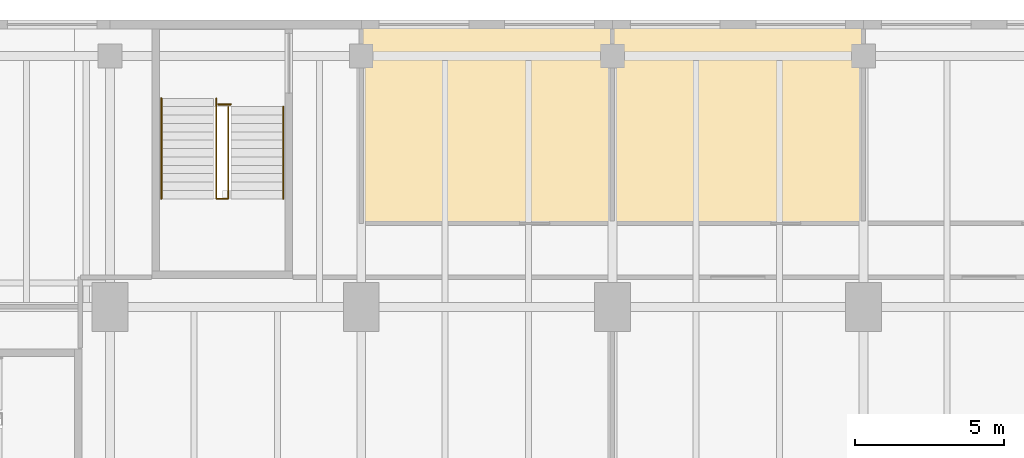
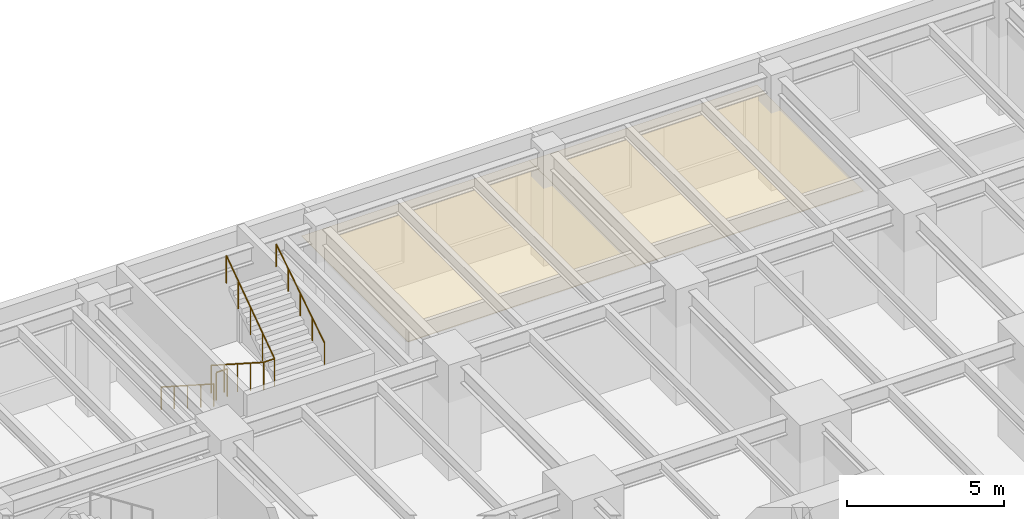
# One storey, part 24 of 26: 4 railings, 2 coverings.
"""IFC4 building model written with IfcOpenShell, lengths in metres."""

from ifc_helpers import new_model, si_unit, direction, frame, origin, origin_2d, place, context, subcontext, project, spatial, polyline, circle, outline, extrude, material, layer, layer_set, type_object, element, save


model = new_model("IFC4")

# Units and contexts
model_context = context("Model", 3, precision=1e-05, world=origin(), true_north=direction((0.0, 1.0)))
body_context = subcontext(model_context, "Body", "Model", "MODEL_VIEW")
ifc_project = project(units=[si_unit("LENGTHUNIT", "METRE"), si_unit("AREAUNIT", "SQUARE_METRE"), si_unit("VOLUMEUNIT", "CUBIC_METRE"), si_unit("PLANEANGLEUNIT", "RADIAN"), si_unit("MASSUNIT", "GRAM", prefix="KILO")], contexts=[model_context])

# Site, building, storey
site_placement = place(None, origin())
site = spatial("IfcSite", under=ifc_project, at=site_placement, CompositionType="ELEMENT")
building_placement = place(site_placement, origin())
building = spatial("IfcBuilding", under=site, at=building_placement, Name="Claustro Exchange Tower", CompositionType="ELEMENT")
storey_placement = place(building_placement, frame((0.0, 0.0, 9.89990234375)))
storey = spatial("IfcBuildingStorey", under=building, at=storey_placement, Name="L02", CompositionType="ELEMENT", Elevation=9.89990234375)

# Coverings
ifc_material_1 = material(Name="Gypsum board ceiling", Category="gypsum board")
ifc_layer = layer(ifc_material_1, 0.02490234375)
ifc_layer_set = layer_set([ifc_layer], Name="Gypsum board ceiling")
covering_type = type_object("IfcCoveringType", Name="CL2 plasterboard ceiling", PredefinedType="CEILING", material=ifc_layer_set)
covering_1_placement = place(storey_placement, frame((0.0, 0.0, 3.0)))
element("IfcCovering", 1, at=covering_1_placement, inside=storey, type_object=covering_type, Name="Ceiling CL2 L02-26", PredefinedType="CEILING", context=body_context, shape_type="SweptSolid", body=[
    extrude(outline(polyline([(16.800048828125, 60.0), (8.39990234375, 60.0), (8.39990234375, 53.199951171875), (16.800048828125, 53.199951171875), (16.800048828125, 60.0)])), origin(), (0.0, 0.0, 1.0), 0.025146484375),
])
covering_2_placement = place(storey_placement, frame((0.0, 0.0, 3.0)))
element("IfcCovering", 2, at=covering_2_placement, inside=storey, type_object=covering_type, Name="Ceiling CL2 L02-27", PredefinedType="CEILING", context=body_context, shape_type="SweptSolid", body=[
    extrude(outline(polyline([(25.199951171875, 60.0), (16.800048828125, 60.0), (16.800048828125, 53.199951171875), (25.199951171875, 53.199951171875), (25.199951171875, 60.0)])), origin(), (0.0, 0.0, 1.0), 0.025146484375),
])

# Railings
ifc_material_2 = material(Name="Steel balustrade, painted", Category="steel")
railing_type_1 = type_object("IfcRailingType", Name="GR2 1100 steel stair guard", PredefinedType="GUARDRAIL", material=ifc_material_2)
railing_1_placement = place(storey_placement, frame((3.550048828125, 57.3798828125, 0.18017578125)))
element("IfcRailing", 3, at=railing_1_placement, inside=storey, type_object=railing_type_1, Name="Stair well guard GR2 stair STP3 L02", PredefinedType="GUARDRAIL", context=body_context, shape_type="SweptSolid", body=[
    extrude(circle(Radius=0.02392578125, at=origin_2d()), frame((0.0, 0.0, 1.076171875), z_axis=(0.0, -0.841178475377, 0.540757591313), x_axis=(1.0, 0.0, 0.0)), (0.0, 0.0, 1.0), 3.994140625),
    extrude(circle(Radius=0.02392578125, at=origin_2d()), frame((0.0, -3.35986328125, 3.23583984375), z_axis=(1.0, 0.0, 0.0), x_axis=(0.0, 1.0, 0.0)), (0.0, 0.0, 1.0), 0.39990234375),
    extrude(circle(Radius=0.02392578125, at=origin_2d()), frame((0.39990234375, -3.35986328125, 3.23583984375), z_axis=(0.0, 0.8187499073, 0.574150319426), x_axis=(-1.0, 0.0, 0.0)), (0.0, 0.0, 1.0), 3.761962890625),
    extrude(circle(Radius=0.02099609375, at=origin_2d()), origin(), (0.0, 0.0, 1.0), 1.052001953125),
    extrude(circle(Radius=0.02099609375, at=origin_2d()), frame((0.0, -0.83984375, 0.5400390625)), (0.0, 0.0, 1.0), 1.052001953125),
    extrude(circle(Radius=0.02099609375, at=origin_2d()), frame((0.0, -1.679931640625, 1.080078125)), (0.0, 0.0, 1.0), 1.052001953125),
    extrude(circle(Radius=0.02099609375, at=origin_2d()), frame((0.0, -2.52001953125, 1.619873046875)), (0.0, 0.0, 1.0), 1.052001953125),
    extrude(circle(Radius=0.02099609375, at=origin_2d()), frame((0.0, -3.35986328125, 2.159912109375)), (0.0, 0.0, 1.0), 1.052001953125),
    extrude(circle(Radius=0.02099609375, at=origin_2d()), frame((0.39990234375, -3.35986328125, 2.159912109375)), (0.0, 0.0, 1.0), 1.052001953125),
    extrude(circle(Radius=0.02099609375, at=origin_2d()), frame((0.39990234375, -2.58984375, 2.699951171875)), (0.0, 0.0, 1.0), 1.052001953125),
    extrude(circle(Radius=0.02099609375, at=origin_2d()), frame((0.39990234375, -1.81982421875, 3.23974609375)), (0.0, 0.0, 1.0), 1.052001953125),
    extrude(circle(Radius=0.02099609375, at=origin_2d()), frame((0.39990234375, -1.0498046875, 3.77978515625)), (0.0, 0.0, 1.0), 1.052001953125),
    extrude(circle(Radius=0.02099609375, at=origin_2d()), frame((0.39990234375, -0.27978515625, 4.31982421875)), (0.0, 0.0, 1.0), 1.052001953125),
])
railing_2_placement = place(storey_placement, frame((3.6201171875, 57.179931640625, 0.0)))
element("IfcRailing", 4, at=railing_2_placement, inside=storey, type_object=railing_type_1, Name="Stair guard GR2 STP3 L02", PredefinedType="GUARDRAIL", context=body_context, shape_type="SweptSolid", body=[
    extrude(circle(Radius=0.02392578125, at=origin_2d()), frame((0.0, 0.0, 1.076171875), z_axis=(1.0, 0.0, 0.0), x_axis=(0.0, 1.0, 0.0)), (0.0, 0.0, 1.0), 0.409912109375),
    extrude(circle(Radius=0.02099609375, at=origin_2d()), origin(), (0.0, 0.0, 1.0), 1.052001953125),
    extrude(circle(Radius=0.02099609375, at=origin_2d()), frame((0.409912109375, 0.0, 0.0)), (0.0, 0.0, 1.0), 1.052001953125),
])
ifc_material_3 = material(Name="Stainless steel tube", Category="steel")
railing_type_2 = type_object("IfcRailingType", Name="HR1 900 stair handrail", PredefinedType="HANDRAIL", material=ifc_material_3)
railing_3_placement = place(storey_placement, frame((1.7099609375, 57.3798828125, 0.18017578125)))
element("IfcRailing", 5, at=railing_3_placement, inside=storey, type_object=railing_type_2, Name="Handrail HR1 stair STP3 L02", PredefinedType="HANDRAIL", context=body_context, shape_type="SweptSolid", body=[
    extrude(circle(Radius=0.02392578125, at=origin_2d()), frame((0.0, 0.0, 0.8759765625), z_axis=(0.0, -0.841178475377, 0.540757591313), x_axis=(1.0, 0.0, 0.0)), (0.0, 0.0, 1.0), 3.994140625),
    extrude(circle(Radius=0.02099609375, at=origin_2d()), origin(), (0.0, 0.0, 1.0), 0.851806640625),
    extrude(circle(Radius=0.02099609375, at=origin_2d()), frame((0.0, -0.83984375, 0.5400390625)), (0.0, 0.0, 1.0), 0.851806640625),
    extrude(circle(Radius=0.02099609375, at=origin_2d()), frame((0.0, -1.679931640625, 1.080078125)), (0.0, 0.0, 1.0), 0.851806640625),
    extrude(circle(Radius=0.02099609375, at=origin_2d()), frame((0.0, -2.52001953125, 1.619873046875)), (0.0, 0.0, 1.0), 0.851806640625),
    extrude(circle(Radius=0.02099609375, at=origin_2d()), frame((0.0, -3.35986328125, 2.159912109375)), (0.0, 0.0, 1.0), 0.851806640625),
])
railing_4_placement = place(storey_placement, frame((5.7900390625, 54.02001953125, 2.52001953125)))
element("IfcRailing", 6, at=railing_4_placement, inside=storey, type_object=railing_type_2, Name="Handrail HR1 stair STP3 L02", PredefinedType="HANDRAIL", context=body_context, shape_type="SweptSolid", body=[
    extrude(circle(Radius=0.02392578125, at=origin_2d()), frame((0.0, 0.0, 0.8759765625), z_axis=(0.0, 0.84118714077, 0.540744111576), x_axis=(-1.0, 0.0, 0.0)), (0.0, 0.0, 1.0), 3.66162109375),
    extrude(circle(Radius=0.02099609375, at=origin_2d()), origin(), (0.0, 0.0, 1.0), 0.851806640625),
    extrude(circle(Radius=0.02099609375, at=origin_2d()), frame((0.0, 0.77001953125, 0.4951171875)), (0.0, 0.0, 1.0), 0.851806640625),
    extrude(circle(Radius=0.02099609375, at=origin_2d()), frame((0.0, 1.5400390625, 0.989990234375)), (0.0, 0.0, 1.0), 0.851806640625),
    extrude(circle(Radius=0.02099609375, at=origin_2d()), frame((0.0, 2.31005859375, 1.48486328125)), (0.0, 0.0, 1.0), 0.851806640625),
    extrude(circle(Radius=0.02099609375, at=origin_2d()), frame((0.0, 3.080078125, 1.97998046875)), (0.0, 0.0, 1.0), 0.851806640625),
])

save(model, "model.ifc")
